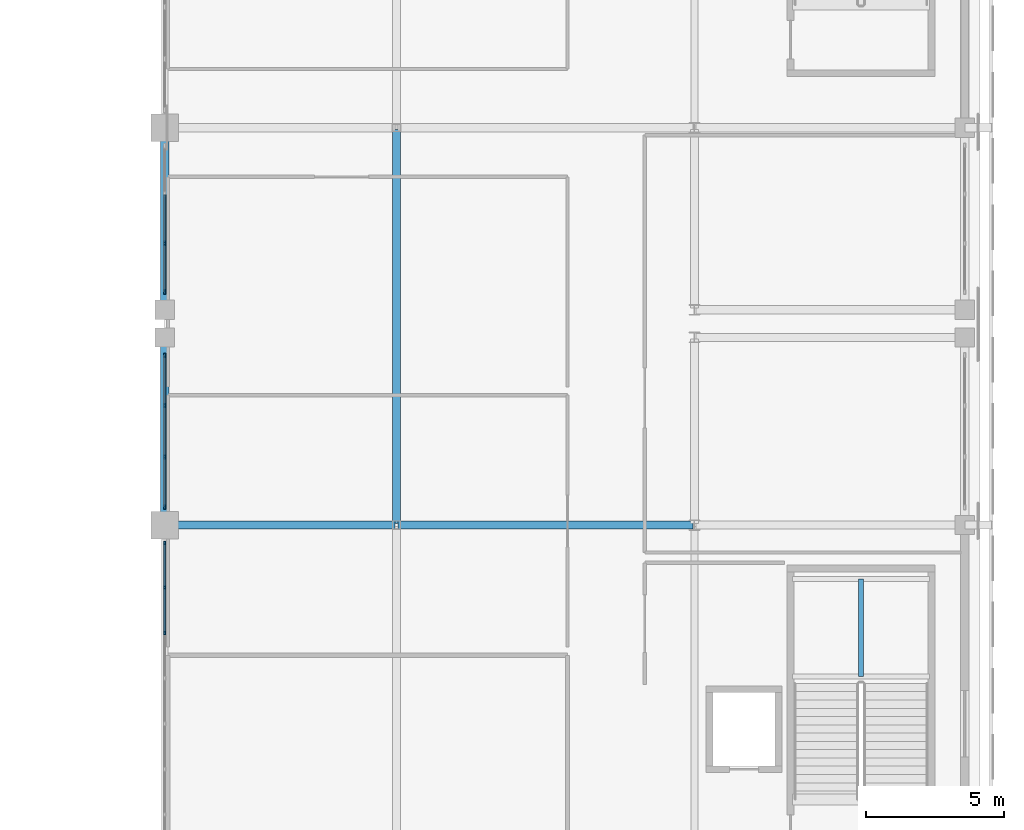
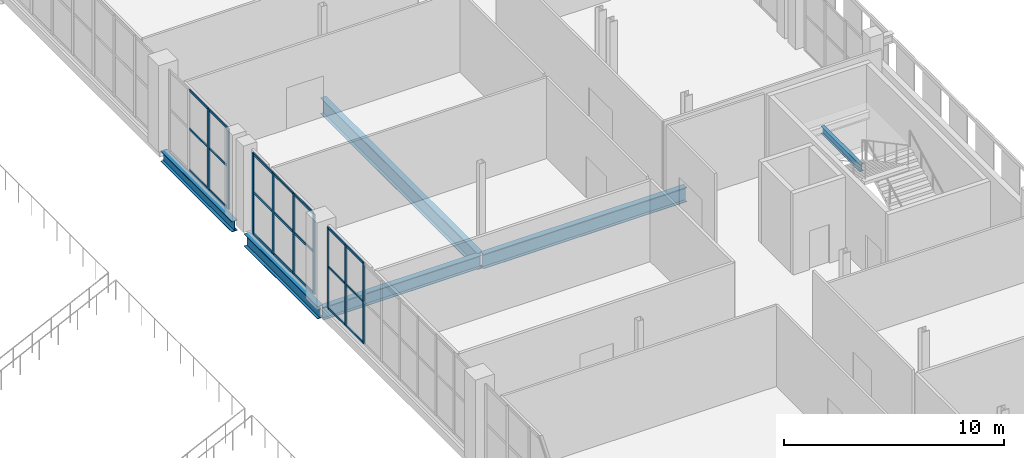
# One storey, part 41 of 104: 30 members, 6 beams, 3 elements without a shape of their own.
"""IFC4 building model written with IfcOpenShell, lengths in metres."""

from ifc_helpers import new_model, si_unit, direction, frame, origin, origin_2d, place, context, subcontext, project, spatial, rectangle, i_section, extrude, material, material_profile, profile_set, type_object, element, aggregate, save


model = new_model("IFC4")

# Units and contexts
model_context = context("Model", 3, precision=1e-05, world=origin(), true_north=direction((0.0, 1.0)))
body_context = subcontext(model_context, "Body", "Model", "MODEL_VIEW")
ifc_project = project(units=[si_unit("LENGTHUNIT", "METRE"), si_unit("AREAUNIT", "SQUARE_METRE"), si_unit("VOLUMEUNIT", "CUBIC_METRE"), si_unit("PLANEANGLEUNIT", "RADIAN"), si_unit("MASSUNIT", "GRAM", prefix="KILO")], contexts=[model_context])

# Site, building, storey
site_placement = place(None, origin())
site = spatial("IfcSite", under=ifc_project, at=site_placement, CompositionType="ELEMENT")
building_placement = place(site_placement, origin())
building = spatial("IfcBuilding", under=site, at=building_placement, Name="Koshinbarg Plaza Stadium", CompositionType="ELEMENT")
storey_placement = place(building_placement, frame((0.0, 0.0, 19.800048828125)))
storey = spatial("IfcBuildingStorey", under=building, at=storey_placement, Name="L04", CompositionType="ELEMENT", Elevation=19.800048828125)

# Beams
ifc_material_1 = material(Name="Steel S355", Category="steel")
ifc_material_profile_1 = material_profile(ifc_material_1, i_section(OverallWidth=0.179931640625, OverallDepth=0.39990234375, WebThickness=0.008544921875, FlangeThickness=0.013427734375, at=origin_2d()), Name="IPE 400")
ifc_profile_set_1 = profile_set([ifc_material_profile_1], Name="Steel S355")
beam_type_1 = type_object("IfcBeamType", Name="BM-SBM-01", PredefinedType="BEAM", material=ifc_profile_set_1)
beam_1_placement = place(storey_placement, frame((214.635009765625, 63.2099609375, 1.8798828125), z_axis=(0.0, 1.0, 0.0), x_axis=(-1.0, 0.0, 0.0)))
element("IfcBeam", 1, at=beam_1_placement, inside=storey, type_object=beam_type_1, Name="L04 Protected Exit Stair C08 landing trimmer beam 3", PredefinedType="BEAM", context=body_context, shape_type="SweptSolid", body=[
    extrude(i_section(OverallWidth=0.179931640625, OverallDepth=0.39990234375, WebThickness=0.008544921875, FlangeThickness=0.013427734375, at=origin_2d()), origin(), (0.0, 0.0, 1.0), 3.5400390625),
])
ifc_material_profile_2 = material_profile(ifc_material_1, i_section(OverallWidth=0.300048828125, OverallDepth=0.60009765625, WebThickness=0.015380859375, FlangeThickness=0.030029296875, at=origin_2d()), Name="HEB 600")
ifc_profile_set_2 = profile_set([ifc_material_profile_2], Name="Steel S355")
beam_type_2 = type_object("IfcBeamType", Name="BM-SGIR-02", PredefinedType="USERDEFINED", material=ifc_profile_set_2)
beam_2_placement = place(storey_placement, frame((189.39990234375, 76.56005859375, -0.60009765625), z_axis=(0.0, 1.0, 0.0), x_axis=(-1.0, 0.0, 0.0)))
element("IfcBeam", 2, at=beam_2_placement, inside=storey, type_object=beam_type_2, Name="L04 Y girder 18/L-M", ObjectType="GIRDER", PredefinedType="USERDEFINED", context=body_context, shape_type="SweptSolid", body=[
    extrude(i_section(OverallWidth=0.300048828125, OverallDepth=0.60009765625, WebThickness=0.015380859375, FlangeThickness=0.030029296875, at=origin_2d()), origin(), (0.0, 0.0, 1.0), 6.47998046875),
])
ifc_material_profile_3 = material_profile(ifc_material_1, i_section(OverallWidth=0.300048828125, OverallDepth=0.699951171875, WebThickness=0.01708984375, FlangeThickness=0.031982421875, at=origin_2d()), Name="HEB 700")
ifc_profile_set_3 = profile_set([ifc_material_profile_3], Name="Steel S355")
beam_type_3 = type_object("IfcBeamType", Name="BM-SGIR-03", PredefinedType="USERDEFINED", material=ifc_profile_set_3)
beam_3_placement = place(storey_placement, frame((189.4599609375, 68.699951171875, -0.650146484375), z_axis=(1.0, 0.0, 0.0), x_axis=(0.0, 1.0, 0.0)))
element("IfcBeam", 3, at=beam_3_placement, inside=storey, type_object=beam_type_3, Name="L04 X girder J/18-19", ObjectType="GIRDER", PredefinedType="USERDEFINED", context=body_context, shape_type="SweptSolid", body=[
    extrude(i_section(OverallWidth=0.300048828125, OverallDepth=0.699951171875, WebThickness=0.01708984375, FlangeThickness=0.031982421875, at=origin_2d()), origin(), (0.0, 0.0, 1.0), 8.280029296875),
])
beam_4_placement = place(storey_placement, frame((189.39990234375, 68.760009765625, -0.650146484375), z_axis=(0.0, 1.0, 0.0), x_axis=(-1.0, 0.0, 0.0)))
element("IfcBeam", 4, at=beam_4_placement, inside=storey, type_object=beam_type_3, Name="L04 Y girder 18/J-K", ObjectType="GIRDER", PredefinedType="USERDEFINED", context=body_context, shape_type="SweptSolid", body=[
    extrude(i_section(OverallWidth=0.300048828125, OverallDepth=0.699951171875, WebThickness=0.01708984375, FlangeThickness=0.031982421875, at=origin_2d()), origin(), (0.0, 0.0, 1.0), 6.679931640625),
])
ifc_material_profile_4 = material_profile(ifc_material_1, i_section(OverallWidth=0.300048828125, OverallDepth=0.800048828125, WebThickness=0.017578125, FlangeThickness=0.032958984375, at=origin_2d()), Name="HEB 800")
ifc_profile_set_4 = profile_set([ifc_material_profile_4], Name="Steel S355")
beam_type_4 = type_object("IfcBeamType", Name="BM-SGIR-04", PredefinedType="USERDEFINED", material=ifc_profile_set_4)
beam_5_placement = place(storey_placement, frame((197.860107421875, 68.699951171875, -0.699951171875), z_axis=(1.0, 0.0, 0.0), x_axis=(0.0, 1.0, 0.0)))
element("IfcBeam", 5, at=beam_5_placement, inside=storey, type_object=beam_type_4, Name="L04 X girder J/19-20", ObjectType="GIRDER", PredefinedType="USERDEFINED", context=body_context, shape_type="SweptSolid", body=[
    extrude(i_section(OverallWidth=0.300048828125, OverallDepth=0.800048828125, WebThickness=0.017578125, FlangeThickness=0.032958984375, at=origin_2d()), origin(), (0.0, 0.0, 1.0), 10.679931640625),
])
ifc_material_profile_5 = material_profile(ifc_material_1, i_section(OverallWidth=0.300048828125, OverallDepth=0.89990234375, WebThickness=0.0185546875, FlangeThickness=0.034912109375, at=origin_2d()), Name="HEB 900")
ifc_profile_set_5 = profile_set([ifc_material_profile_5], Name="Steel S355")
beam_type_5 = type_object("IfcBeamType", Name="BM-SGIR-05", PredefinedType="USERDEFINED", material=ifc_profile_set_5)
beam_6_placement = place(storey_placement, frame((197.800048828125, 68.760009765625, -0.75), z_axis=(0.0, 1.0, 0.0), x_axis=(-1.0, 0.0, 0.0)))
element("IfcBeam", 6, at=beam_6_placement, inside=storey, type_object=beam_type_5, Name="L04 Y girder 19/J-M", ObjectType="GIRDER", PredefinedType="USERDEFINED", context=body_context, shape_type="SweptSolid", body=[
    extrude(i_section(OverallWidth=0.300048828125, OverallDepth=0.89990234375, WebThickness=0.0185546875, FlangeThickness=0.034912109375, at=origin_2d()), origin(), (0.0, 0.0, 1.0), 14.280029296875),
])

# Curtain wall, members
ifc_material_2 = material(Name="Thermally broken anodised aluminium and low-E double glazing", Category="aluminium")
curtain_wall_type_1 = type_object("IfcCurtainWallType", Name="CW-SYS-13", PredefinedType="NOTDEFINED", material=ifc_material_2)
curtain_wall_1_placement = place(storey_placement, origin())
curtain_wall_1 = element("IfcCurtainWall", 7, at=curtain_wall_1_placement, inside=storey, type_object=curtain_wall_type_1, Name="L04 unitised curtain wall CW-L04-124", PredefinedType="NOTDEFINED")
ifc_material_3 = material(Name="Anodised aluminium mullion", Category="aluminium")
ifc_material_profile_6 = material_profile(ifc_material_3, rectangle(XDim=0.06005859375, YDim=0.139892578125, at=origin_2d()), Name="ALU 60x140")
ifc_profile_set_6 = profile_set([ifc_material_profile_6], Name="Anodised aluminium mullion")
member_type_1 = type_object("IfcMemberType", Name="CW-MUL-01", PredefinedType="MULLION", material=ifc_profile_set_6)
member_1_placement = place(storey_placement, frame((189.39990234375, 64.7900390625, 0.0), z_axis=(0.0, 0.0, 1.0), x_axis=(-1.0, 0.0, 0.0)))
member_1 = element("IfcMember", 8, at=member_1_placement, type_object=member_type_1, Name="CW13 mullion 7", PredefinedType="MULLION", context=body_context, shape_type="SweptSolid", body=[
    extrude(rectangle(XDim=0.06005859375, YDim=0.139892578125, at=origin_2d()), origin(), (0.0, 0.0, 1.0), 4.47998046875),
])
member_2_placement = place(storey_placement, frame((189.39990234375, 66.43505859375, 0.0), z_axis=(0.0, 0.0, 1.0), x_axis=(-1.0, 0.0, 0.0)))
member_2 = element("IfcMember", 9, at=member_2_placement, type_object=member_type_1, Name="CW13 mullion 8", PredefinedType="MULLION", context=body_context, shape_type="SweptSolid", body=[
    extrude(rectangle(XDim=0.06005859375, YDim=0.139892578125, at=origin_2d()), origin(), (0.0, 0.0, 1.0), 4.47998046875),
])
member_3_placement = place(storey_placement, frame((189.39990234375, 68.050048828125, 0.0), z_axis=(0.0, 0.0, 1.0), x_axis=(-1.0, 0.0, 0.0)))
member_3 = element("IfcMember", 10, at=member_3_placement, type_object=member_type_1, Name="CW13 mullion 9", PredefinedType="MULLION", context=body_context, shape_type="SweptSolid", body=[
    extrude(rectangle(XDim=0.06005859375, YDim=0.139892578125, at=origin_2d()), origin(), (0.0, 0.0, 1.0), 4.47998046875),
])

curtain_wall_type_2 = type_object("IfcCurtainWallType", Name="CW-SYS-14", PredefinedType="NOTDEFINED", material=ifc_material_2)
curtain_wall_2_placement = place(storey_placement, origin())
curtain_wall_2 = element("IfcCurtainWall", 11, at=curtain_wall_2_placement, inside=storey, type_object=curtain_wall_type_2, Name="L04 unitised curtain wall CW-L04-125", PredefinedType="NOTDEFINED")
ifc_material_profile_7 = material_profile(ifc_material_3, rectangle(XDim=0.06005859375, YDim=0.159912109375, at=origin_2d()), Name="ALU 60x160")
ifc_profile_set_7 = profile_set([ifc_material_profile_7], Name="Anodised aluminium mullion")
member_type_2 = type_object("IfcMemberType", Name="CW-MUL-02", PredefinedType="MULLION", material=ifc_profile_set_7)
member_4_placement = place(storey_placement, frame((189.39990234375, 69.35009765625, 0.0), z_axis=(0.0, 0.0, 1.0), x_axis=(-1.0, 0.0, 0.0)))
member_4 = element("IfcMember", 12, at=member_4_placement, type_object=member_type_2, Name="CW14 mullion 1", PredefinedType="MULLION", context=body_context, shape_type="SweptSolid", body=[
    extrude(rectangle(XDim=0.06005859375, YDim=0.159912109375, at=origin_2d()), origin(), (0.0, 0.0, 1.0), 4.47998046875),
])
member_5_placement = place(storey_placement, frame((189.39990234375, 71.17333984375, 0.0), z_axis=(0.0, 0.0, 1.0), x_axis=(-1.0, 0.0, 0.0)))
member_5 = element("IfcMember", 13, at=member_5_placement, type_object=member_type_2, Name="CW14 mullion 2", PredefinedType="MULLION", context=body_context, shape_type="SweptSolid", body=[
    extrude(rectangle(XDim=0.06005859375, YDim=0.159912109375, at=origin_2d()), origin(), (0.0, 0.0, 1.0), 4.47998046875),
])
member_6_placement = place(storey_placement, frame((189.39990234375, 73.026611328125, 0.0), z_axis=(0.0, 0.0, 1.0), x_axis=(-1.0, 0.0, 0.0)))
member_6 = element("IfcMember", 14, at=member_6_placement, type_object=member_type_2, Name="CW14 mullion 3", PredefinedType="MULLION", context=body_context, shape_type="SweptSolid", body=[
    extrude(rectangle(XDim=0.06005859375, YDim=0.159912109375, at=origin_2d()), origin(), (0.0, 0.0, 1.0), 4.47998046875),
])
member_7_placement = place(storey_placement, frame((189.39990234375, 74.85009765625, 0.0), z_axis=(0.0, 0.0, 1.0), x_axis=(-1.0, 0.0, 0.0)))
member_7 = element("IfcMember", 15, at=member_7_placement, type_object=member_type_2, Name="CW14 mullion 4", PredefinedType="MULLION", context=body_context, shape_type="SweptSolid", body=[
    extrude(rectangle(XDim=0.06005859375, YDim=0.159912109375, at=origin_2d()), origin(), (0.0, 0.0, 1.0), 4.47998046875),
])

curtain_wall_type_3 = type_object("IfcCurtainWallType", Name="CW-SYS-15", PredefinedType="NOTDEFINED", material=ifc_material_2)
curtain_wall_3_placement = place(storey_placement, origin())
curtain_wall_3 = element("IfcCurtainWall", 16, at=curtain_wall_3_placement, inside=storey, type_object=curtain_wall_type_3, Name="L04 unitised curtain wall CW-L04-126", PredefinedType="NOTDEFINED")
ifc_material_profile_8 = material_profile(ifc_material_3, rectangle(XDim=0.070068359375, YDim=0.179931640625, at=origin_2d()), Name="ALU 70x180")
ifc_profile_set_8 = profile_set([ifc_material_profile_8], Name="Anodised aluminium mullion")
member_type_3 = type_object("IfcMemberType", Name="CW-MUL-03", PredefinedType="MULLION", material=ifc_profile_set_8)
member_8_placement = place(storey_placement, frame((189.39990234375, 77.14990234375, 0.0), z_axis=(0.0, 0.0, 1.0), x_axis=(-1.0, 0.0, 0.0)))
member_8 = element("IfcMember", 17, at=member_8_placement, type_object=member_type_3, Name="CW15 mullion 1", PredefinedType="MULLION", context=body_context, shape_type="SweptSolid", body=[
    extrude(rectangle(XDim=0.070068359375, YDim=0.179931640625, at=origin_2d()), origin(), (0.0, 0.0, 1.0), 4.47998046875),
])
member_9_placement = place(storey_placement, frame((189.39990234375, 78.90673828125, 0.0), z_axis=(0.0, 0.0, 1.0), x_axis=(-1.0, 0.0, 0.0)))
member_9 = element("IfcMember", 18, at=member_9_placement, type_object=member_type_3, Name="CW15 mullion 2", PredefinedType="MULLION", context=body_context, shape_type="SweptSolid", body=[
    extrude(rectangle(XDim=0.070068359375, YDim=0.179931640625, at=origin_2d()), origin(), (0.0, 0.0, 1.0), 4.47998046875),
])

# Member
ifc_material_4 = material(Name="Anodised aluminium transom", Category="aluminium")
ifc_material_profile_9 = material_profile(ifc_material_4, rectangle(XDim=0.06005859375, YDim=0.110107421875, at=origin_2d()), Name="ALU 60x110")
ifc_profile_set_9 = profile_set([ifc_material_profile_9], Name="Anodised aluminium transom")
member_type_4 = type_object("IfcMemberType", Name="CW-TRN-01", PredefinedType="USERDEFINED", material=ifc_profile_set_9)
member_10_placement = place(storey_placement, frame((189.39990234375, 64.820068359375, 0.030029296875), z_axis=(0.0, 1.0, 0.0), x_axis=(-1.0, 0.0, 0.0)))
member_10 = element("IfcMember", 19, at=member_10_placement, type_object=member_type_4, Name="CW13 transom 7.1", ObjectType="TRANSOM", PredefinedType="USERDEFINED", context=body_context, shape_type="SweptSolid", body=[
    extrude(rectangle(XDim=0.06005859375, YDim=0.110107421875, at=origin_2d()), origin(), (0.0, 0.0, 1.0), 1.5849609375),
])

member_11_placement = place(storey_placement, frame((189.39990234375, 64.820068359375, 2.32958984375), z_axis=(0.0, 1.0, 0.0), x_axis=(-1.0, 0.0, 0.0)))
member_11 = element("IfcMember", 20, at=member_11_placement, type_object=member_type_4, Name="CW13 transom 7.2", ObjectType="TRANSOM", PredefinedType="USERDEFINED", context=body_context, shape_type="SweptSolid", body=[
    extrude(rectangle(XDim=0.06005859375, YDim=0.110107421875, at=origin_2d()), origin(), (0.0, 0.0, 1.0), 1.5849609375),
])

member_12_placement = place(storey_placement, frame((189.39990234375, 64.820068359375, 4.449951171875), z_axis=(0.0, 1.0, 0.0), x_axis=(-1.0, 0.0, 0.0)))
member_12 = element("IfcMember", 21, at=member_12_placement, type_object=member_type_4, Name="CW13 transom 7.3", ObjectType="TRANSOM", PredefinedType="USERDEFINED", context=body_context, shape_type="SweptSolid", body=[
    extrude(rectangle(XDim=0.06005859375, YDim=0.110107421875, at=origin_2d()), origin(), (0.0, 0.0, 1.0), 1.5849609375),
])

member_13_placement = place(storey_placement, frame((189.39990234375, 66.465087890625, 0.030029296875), z_axis=(0.0, 1.0, 0.0), x_axis=(-1.0, 0.0, 0.0)))
member_13 = element("IfcMember", 22, at=member_13_placement, type_object=member_type_4, Name="CW13 transom 8.1", ObjectType="TRANSOM", PredefinedType="USERDEFINED", context=body_context, shape_type="SweptSolid", body=[
    extrude(rectangle(XDim=0.06005859375, YDim=0.110107421875, at=origin_2d()), origin(), (0.0, 0.0, 1.0), 1.554931640625),
])

member_14_placement = place(storey_placement, frame((189.39990234375, 66.465087890625, 2.32958984375), z_axis=(0.0, 1.0, 0.0), x_axis=(-1.0, 0.0, 0.0)))
member_14 = element("IfcMember", 23, at=member_14_placement, type_object=member_type_4, Name="CW13 transom 8.2", ObjectType="TRANSOM", PredefinedType="USERDEFINED", context=body_context, shape_type="SweptSolid", body=[
    extrude(rectangle(XDim=0.06005859375, YDim=0.110107421875, at=origin_2d()), origin(), (0.0, 0.0, 1.0), 1.554931640625),
])

member_15_placement = place(storey_placement, frame((189.39990234375, 66.465087890625, 4.449951171875), z_axis=(0.0, 1.0, 0.0), x_axis=(-1.0, 0.0, 0.0)))
member_15 = element("IfcMember", 24, at=member_15_placement, type_object=member_type_4, Name="CW13 transom 8.3", ObjectType="TRANSOM", PredefinedType="USERDEFINED", context=body_context, shape_type="SweptSolid", body=[
    extrude(rectangle(XDim=0.06005859375, YDim=0.110107421875, at=origin_2d()), origin(), (0.0, 0.0, 1.0), 1.554931640625),
])

aggregate(curtain_wall_1, [member_1, member_2, member_3, member_10, member_11, member_12, member_13, member_14, member_15])

member_16_placement = place(storey_placement, frame((189.39990234375, 77.179931640625, 0.030029296875), z_axis=(0.0, 1.0, 0.0), x_axis=(-1.0, 0.0, 0.0)))
member_16 = element("IfcMember", 25, at=member_16_placement, type_object=member_type_4, Name="CW15 transom 1.1", ObjectType="TRANSOM", PredefinedType="USERDEFINED", context=body_context, shape_type="SweptSolid", body=[
    extrude(rectangle(XDim=0.06005859375, YDim=0.110107421875, at=origin_2d()), origin(), (0.0, 0.0, 1.0), 1.69677734375),
])

member_17_placement = place(storey_placement, frame((189.39990234375, 77.179931640625, 2.32958984375), z_axis=(0.0, 1.0, 0.0), x_axis=(-1.0, 0.0, 0.0)))
member_17 = element("IfcMember", 26, at=member_17_placement, type_object=member_type_4, Name="CW15 transom 1.2", ObjectType="TRANSOM", PredefinedType="USERDEFINED", context=body_context, shape_type="SweptSolid", body=[
    extrude(rectangle(XDim=0.06005859375, YDim=0.110107421875, at=origin_2d()), origin(), (0.0, 0.0, 1.0), 1.69677734375),
])

member_18_placement = place(storey_placement, frame((189.39990234375, 77.179931640625, 4.449951171875), z_axis=(0.0, 1.0, 0.0), x_axis=(-1.0, 0.0, 0.0)))
member_18 = element("IfcMember", 27, at=member_18_placement, type_object=member_type_4, Name="CW15 transom 1.3", ObjectType="TRANSOM", PredefinedType="USERDEFINED", context=body_context, shape_type="SweptSolid", body=[
    extrude(rectangle(XDim=0.06005859375, YDim=0.110107421875, at=origin_2d()), origin(), (0.0, 0.0, 1.0), 1.69677734375),
])

member_19_placement = place(storey_placement, frame((189.39990234375, 78.936767578125, 0.030029296875), z_axis=(0.0, 1.0, 0.0), x_axis=(-1.0, 0.0, 0.0)))
member_19 = element("IfcMember", 28, at=member_19_placement, type_object=member_type_4, Name="CW15 transom 2.1", ObjectType="TRANSOM", PredefinedType="USERDEFINED", context=body_context, shape_type="SweptSolid", body=[
    extrude(rectangle(XDim=0.06005859375, YDim=0.110107421875, at=origin_2d()), origin(), (0.0, 0.0, 1.0), 1.7265625),
])

member_20_placement = place(storey_placement, frame((189.39990234375, 78.936767578125, 2.32958984375), z_axis=(0.0, 1.0, 0.0), x_axis=(-1.0, 0.0, 0.0)))
member_20 = element("IfcMember", 29, at=member_20_placement, type_object=member_type_4, Name="CW15 transom 2.2", ObjectType="TRANSOM", PredefinedType="USERDEFINED", context=body_context, shape_type="SweptSolid", body=[
    extrude(rectangle(XDim=0.06005859375, YDim=0.110107421875, at=origin_2d()), origin(), (0.0, 0.0, 1.0), 1.7265625),
])

member_21_placement = place(storey_placement, frame((189.39990234375, 78.936767578125, 4.449951171875), z_axis=(0.0, 1.0, 0.0), x_axis=(-1.0, 0.0, 0.0)))
member_21 = element("IfcMember", 30, at=member_21_placement, type_object=member_type_4, Name="CW15 transom 2.3", ObjectType="TRANSOM", PredefinedType="USERDEFINED", context=body_context, shape_type="SweptSolid", body=[
    extrude(rectangle(XDim=0.06005859375, YDim=0.110107421875, at=origin_2d()), origin(), (0.0, 0.0, 1.0), 1.7265625),
])

aggregate(curtain_wall_3, [member_8, member_9, member_16, member_17, member_18, member_19, member_20, member_21])

ifc_material_profile_10 = material_profile(ifc_material_4, rectangle(XDim=0.06005859375, YDim=0.1298828125, at=origin_2d()), Name="ALU 60x130")
ifc_profile_set_10 = profile_set([ifc_material_profile_10], Name="Anodised aluminium transom")
member_type_5 = type_object("IfcMemberType", Name="CW-TRN-02", PredefinedType="USERDEFINED", material=ifc_profile_set_10)
member_22_placement = place(storey_placement, frame((189.39990234375, 69.3798828125, 0.030029296875), z_axis=(0.0, 1.0, 0.0), x_axis=(-1.0, 0.0, 0.0)))
member_22 = element("IfcMember", 31, at=member_22_placement, type_object=member_type_5, Name="CW14 transom 1.1", ObjectType="TRANSOM", PredefinedType="USERDEFINED", context=body_context, shape_type="SweptSolid", body=[
    extrude(rectangle(XDim=0.06005859375, YDim=0.1298828125, at=origin_2d()), origin(), (0.0, 0.0, 1.0), 1.763427734375),
])

member_23_placement = place(storey_placement, frame((189.39990234375, 69.3798828125, 2.32958984375), z_axis=(0.0, 1.0, 0.0), x_axis=(-1.0, 0.0, 0.0)))
member_23 = element("IfcMember", 32, at=member_23_placement, type_object=member_type_5, Name="CW14 transom 1.2", ObjectType="TRANSOM", PredefinedType="USERDEFINED", context=body_context, shape_type="SweptSolid", body=[
    extrude(rectangle(XDim=0.06005859375, YDim=0.1298828125, at=origin_2d()), origin(), (0.0, 0.0, 1.0), 1.763427734375),
])

member_24_placement = place(storey_placement, frame((189.39990234375, 69.3798828125, 4.449951171875), z_axis=(0.0, 1.0, 0.0), x_axis=(-1.0, 0.0, 0.0)))
member_24 = element("IfcMember", 33, at=member_24_placement, type_object=member_type_5, Name="CW14 transom 1.3", ObjectType="TRANSOM", PredefinedType="USERDEFINED", context=body_context, shape_type="SweptSolid", body=[
    extrude(rectangle(XDim=0.06005859375, YDim=0.1298828125, at=origin_2d()), origin(), (0.0, 0.0, 1.0), 1.763427734375),
])

member_25_placement = place(storey_placement, frame((189.39990234375, 71.203369140625, 0.030029296875), z_axis=(0.0, 1.0, 0.0), x_axis=(-1.0, 0.0, 0.0)))
member_25 = element("IfcMember", 34, at=member_25_placement, type_object=member_type_5, Name="CW14 transom 2.1", ObjectType="TRANSOM", PredefinedType="USERDEFINED", context=body_context, shape_type="SweptSolid", body=[
    extrude(rectangle(XDim=0.06005859375, YDim=0.1298828125, at=origin_2d()), origin(), (0.0, 0.0, 1.0), 1.793212890625),
])

member_26_placement = place(storey_placement, frame((189.39990234375, 71.203369140625, 2.32958984375), z_axis=(0.0, 1.0, 0.0), x_axis=(-1.0, 0.0, 0.0)))
member_26 = element("IfcMember", 35, at=member_26_placement, type_object=member_type_5, Name="CW14 transom 2.2", ObjectType="TRANSOM", PredefinedType="USERDEFINED", context=body_context, shape_type="SweptSolid", body=[
    extrude(rectangle(XDim=0.06005859375, YDim=0.1298828125, at=origin_2d()), origin(), (0.0, 0.0, 1.0), 1.793212890625),
])

member_27_placement = place(storey_placement, frame((189.39990234375, 71.203369140625, 4.449951171875), z_axis=(0.0, 1.0, 0.0), x_axis=(-1.0, 0.0, 0.0)))
member_27 = element("IfcMember", 36, at=member_27_placement, type_object=member_type_5, Name="CW14 transom 2.3", ObjectType="TRANSOM", PredefinedType="USERDEFINED", context=body_context, shape_type="SweptSolid", body=[
    extrude(rectangle(XDim=0.06005859375, YDim=0.1298828125, at=origin_2d()), origin(), (0.0, 0.0, 1.0), 1.793212890625),
])

member_28_placement = place(storey_placement, frame((189.39990234375, 73.056640625, 0.030029296875), z_axis=(0.0, 1.0, 0.0), x_axis=(-1.0, 0.0, 0.0)))
member_28 = element("IfcMember", 37, at=member_28_placement, type_object=member_type_5, Name="CW14 transom 3.1", ObjectType="TRANSOM", PredefinedType="USERDEFINED", context=body_context, shape_type="SweptSolid", body=[
    extrude(rectangle(XDim=0.06005859375, YDim=0.1298828125, at=origin_2d()), origin(), (0.0, 0.0, 1.0), 1.763427734375),
])

member_29_placement = place(storey_placement, frame((189.39990234375, 73.056640625, 2.32958984375), z_axis=(0.0, 1.0, 0.0), x_axis=(-1.0, 0.0, 0.0)))
member_29 = element("IfcMember", 38, at=member_29_placement, type_object=member_type_5, Name="CW14 transom 3.2", ObjectType="TRANSOM", PredefinedType="USERDEFINED", context=body_context, shape_type="SweptSolid", body=[
    extrude(rectangle(XDim=0.06005859375, YDim=0.1298828125, at=origin_2d()), origin(), (0.0, 0.0, 1.0), 1.763427734375),
])

member_30_placement = place(storey_placement, frame((189.39990234375, 73.056640625, 4.449951171875), z_axis=(0.0, 1.0, 0.0), x_axis=(-1.0, 0.0, 0.0)))
member_30 = element("IfcMember", 39, at=member_30_placement, type_object=member_type_5, Name="CW14 transom 3.3", ObjectType="TRANSOM", PredefinedType="USERDEFINED", context=body_context, shape_type="SweptSolid", body=[
    extrude(rectangle(XDim=0.06005859375, YDim=0.1298828125, at=origin_2d()), origin(), (0.0, 0.0, 1.0), 1.763427734375),
])

aggregate(curtain_wall_2, [member_4, member_5, member_6, member_7, member_22, member_23, member_24, member_25, member_26, member_27, member_28, member_29, member_30])

save(model, "model.ifc")
